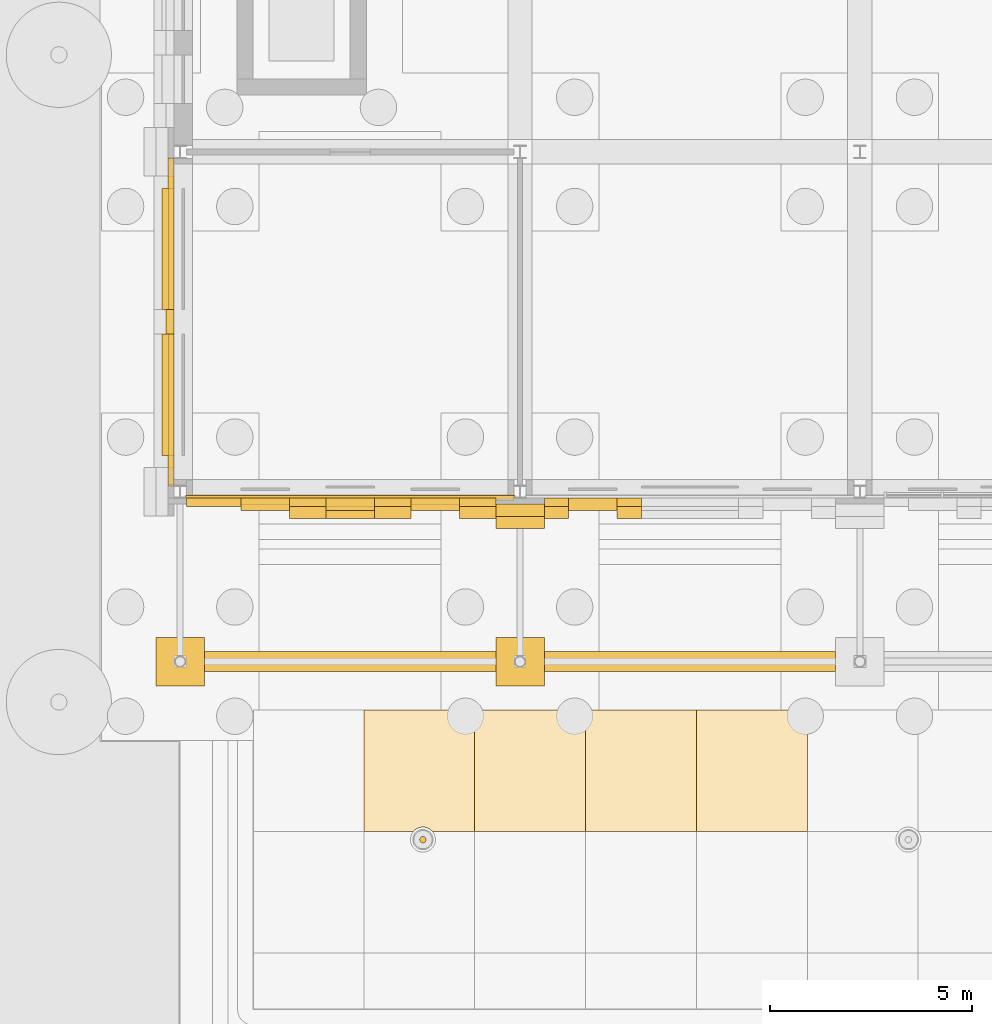
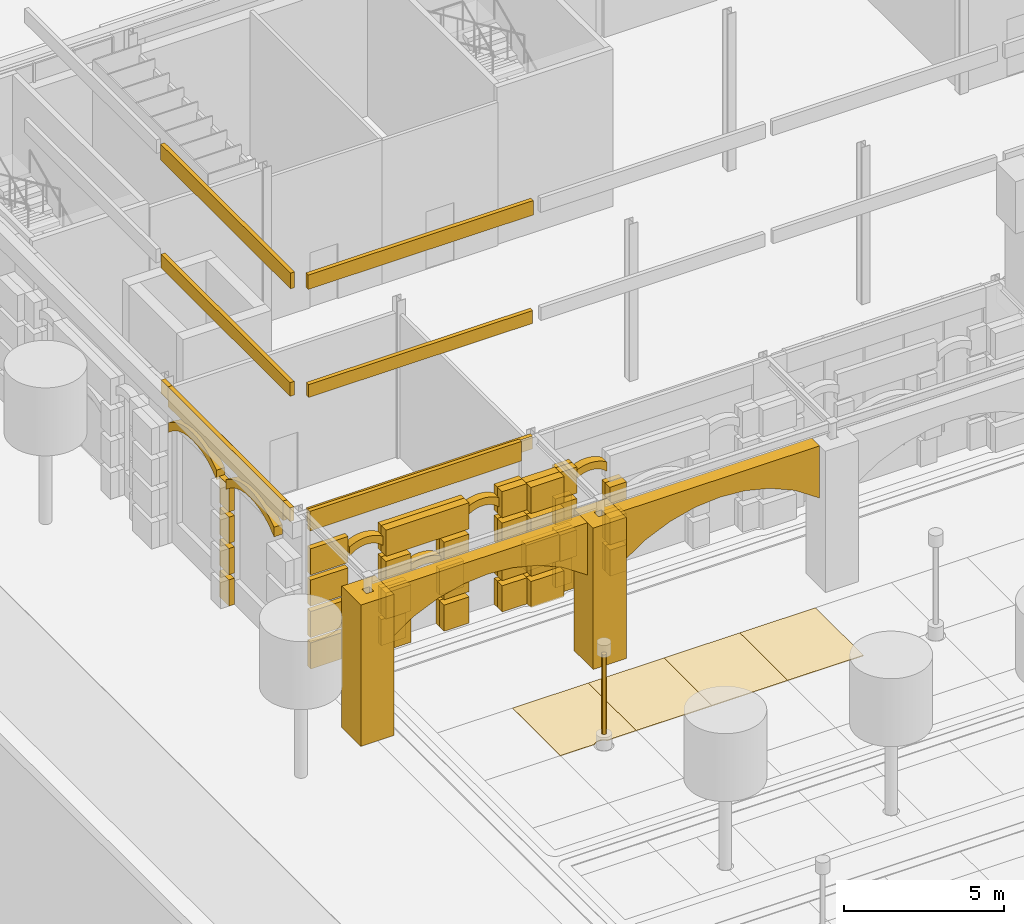
# One storey, part 115 of 222: 75 coverings.
"""IFC4 building model written with IfcOpenShell, lengths in metres."""

from ifc_helpers import new_model, si_unit, direction, frame, origin, origin_2d, place, context, subcontext, project, spatial, polyline, rectangle, hollow_rectangle, circle, outline, extrude, material, layer, layer_set, material_profile, profile_set, type_object, element, save


model = new_model("IFC4")

# Units and contexts
model_context = context("Model", 3, precision=1e-05, world=origin(), true_north=direction((0.0, 1.0)))
body_context = subcontext(model_context, "Body", "Model", "MODEL_VIEW")
ifc_project = project(units=[si_unit("LENGTHUNIT", "METRE"), si_unit("AREAUNIT", "SQUARE_METRE"), si_unit("VOLUMEUNIT", "CUBIC_METRE"), si_unit("PLANEANGLEUNIT", "RADIAN"), si_unit("MASSUNIT", "GRAM", prefix="KILO")], contexts=[model_context])

# Site, building, storey
site_placement = place(None, origin())
site = spatial("IfcSite", under=ifc_project, at=site_placement, CompositionType="ELEMENT")
building_placement = place(site_placement, origin())
building = spatial("IfcBuilding", under=site, at=building_placement, Name="Sava Quay Ferry Terminal", CompositionType="ELEMENT")
storey_placement = place(building_placement, origin())
storey = spatial("IfcBuildingStorey", under=building, at=storey_placement, Name="L00", CompositionType="ELEMENT", Elevation=0.0)

# Coverings
ifc_material_1 = material(Name="Limestone Mutalj ashlar", Category="masonry")
ifc_material_profile = material_profile(ifc_material_1, hollow_rectangle(XDim=1.199951171875, YDim=1.199951171875, WallThickness=0.462890625, at=origin_2d()), Name="Arcade pier 1200")
ifc_profile_set = profile_set([ifc_material_profile], Name="Limestone Mutalj ashlar")
covering_type_1 = type_object("IfcCoveringType", Name="Arcade pier 1200", PredefinedType="CLADDING", material=ifc_profile_set)
for number, where, z_axis, x_axis, name in (
    (1, (0.0, 21.0, 0.0), (0.0, 0.0, 1.0), (1.0, 0.0, 0.0), "Arcade pier"),
    (2, (8.39990234375, 21.0, 0.0), (0.0, 0.0, 1.0), (1.0, 0.0, 0.0), "Arcade pier"),
):
    element("IfcCovering", number, at=place(storey_placement, frame(where, z_axis=z_axis, x_axis=x_axis)), inside=storey, type_object=covering_type_1, Name=name, PredefinedType="CLADDING", context=body_context, shape_type="SweptSolid", body=[
        extrude(hollow_rectangle(XDim=1.199951171875, YDim=1.199951171875, WallThickness=0.462890625, at=origin_2d()), origin(), (0.0, 0.0, 1.0), 5.39990234375),
    ])
ifc_material_2 = material(Name="Limestone Mutalj", Category="masonry")
ifc_layer_1 = layer(ifc_material_2, 0.300048828125)
ifc_layer_set_1 = layer_set([ifc_layer_1], Name="Limestone Mutalj")
covering_type_2 = type_object("IfcCoveringType", Name="Arch band 280", PredefinedType="MOLDING", material=ifc_layer_set_1)
covering_1_placement = place(storey_placement, frame((3.60009765625, 24.739990234375, 2.39990234375), z_axis=(0.0, -1.0, 0.0), x_axis=(0.766042844353, 0.0, 0.642789515017)))
element("IfcCovering", 3, at=covering_1_placement, inside=storey, type_object=covering_type_2, Name="Arch band", PredefinedType="MOLDING", context=body_context, shape_type="SweptSolid", body=[
    extrude(outline(polyline([(0.0, 0.0), (0.1564834757725232, 0.0), (0.29290987034562144, -0.02428279209876255), (0.4140838634817109, -0.06636278232810475), (0.522890396081421, -0.12356147789515273), (0.6202108720586751, -0.19406883930165053), (0.706733197838947, -0.2778246842578833), (0.781769466996763, -0.374889195053566), (0.8444382756181996, -0.4870724111869544), (0.8918546828026273, -0.6170528254509224), (0.9192140087876302, -0.771316031813653), (1.14849024937354, -0.4980766285911245), (1.098846716569099, -0.3703705716175788), (1.0380911714997962, -0.2562870425513622), (0.9674188801474346, -0.15364195753662468), (0.8881454730732465, -0.0616270455684631), (0.8002107679875174, 0.020445599778596002), (0.7043026713157206, 0.09263616079426751), (0.5997332766323826, 0.15488445518883656), (0.48656276622721817, 0.20650257653682963), (0.3634755095389949, 0.24668225383334366), (0.2292762405859099, 0.27323940322252854), (0.0, 0.0)])), origin(), (0.0, 0.0, -1.0), 0.300048828125),
])
for number, where, z_axis, x_axis, name in (
    (4, (1.5, 24.739990234375, 3.89990234375), (0.0, -1.0, 0.0), (0.766686318179, 0.0, 0.642021876199), "Arch band"),
    (5, (5.699951171875, 24.739990234375, 3.89990234375), (0.0, -1.0, 0.0), (0.766686318179, 0.0, 0.642021876199), "Arch band"),
):
    element("IfcCovering", number, at=place(storey_placement, frame(where, z_axis=z_axis, x_axis=x_axis)), inside=storey, type_object=covering_type_2, Name=name, PredefinedType="MOLDING", context=body_context, shape_type="SweptSolid", body=[
        extrude(outline(polyline([(0.0, 0.0), (0.15667057654730215, -1.3877787807814457e-17), (0.29293404656438327, -0.02398938309786766), (0.414337308134961, -0.06610472040016957), (0.5230139006591377, -0.1230376562322823), (0.6205921316676617, -0.19360424362325043), (0.7070111298509724, -0.2771166367750381), (0.7823317665186302, -0.3742626814856812), (0.844925734139887, -0.48622632472613514), (0.8926594933146406, -0.6163159221710233), (0.919986145959173, -0.7703949027137791), (1.1489885778747033, -0.49692597916416525), (1.0994043308893047, -0.3694264559410845), (1.0383473638344554, -0.2552470970326215), (0.9677594714851411, -0.1528295969140227), (0.8882067570202763, -0.06073739267965583), (0.8003770662378966, 0.021090386980039788), (0.7042095278284416, 0.09334158786309998), (0.5997650131014718, 0.15532836417148896), (0.4863556762589516, 0.20698984459564596), (0.3634154141219664, 0.2468894662299388), (0.22900243191553027, 0.27346892354961383), (0.0, 0.0)])), origin(), (0.0, 0.0, -1.0), 0.300048828125),
    ])
covering_2_placement = place(storey_placement, frame((9.60009765625, 24.739990234375, 3.89990234375), z_axis=(0.0, -1.0, 0.0), x_axis=(0.766042844353, 0.0, 0.642789515017)))
element("IfcCovering", 6, at=covering_2_placement, inside=storey, type_object=covering_type_2, Name="Arch band", PredefinedType="MOLDING", context=body_context, shape_type="SweptSolid", body=[
    extrude(outline(polyline([(0.0, 0.0), (0.1564834757725232, 0.0), (0.29290987034562144, -0.02428279209876255), (0.4140838634817109, -0.06636278232810475), (0.522890396081421, -0.12356147789515273), (0.6202108720586751, -0.19406883930165053), (0.706733197838947, -0.2778246842578833), (0.781769466996763, -0.374889195053566), (0.8444382756181996, -0.4870724111869544), (0.8918546828026273, -0.6170528254509224), (0.9192140087876302, -0.771316031813653), (1.14849024937354, -0.4980766285911245), (1.098846716569099, -0.3703705716175788), (1.0380911714997962, -0.2562870425513622), (0.9674188801474346, -0.15364195753662468), (0.8881454730732465, -0.0616270455684631), (0.8002107679875174, 0.020445599778596002), (0.7043026713157206, 0.09263616079426751), (0.5997332766323826, 0.15488445518883656), (0.48656276622721817, 0.20650257653682963), (0.3634755095389949, 0.24668225383334366), (0.2292762405859099, 0.27323940322252854), (0.0, 0.0)])), origin(), (0.0, 0.0, -1.0), 0.300048828125),
])
covering_3_placement = place(storey_placement, frame((-0.14990234375, 26.10009765625, 4.5), z_axis=(1.0, 0.0, 0.0), x_axis=(0.0, 0.781923759715, 0.623374072281)))
element("IfcCovering", 7, at=covering_3_placement, inside=storey, type_object=covering_type_2, Name="Arch band", PredefinedType="MOLDING", context=body_context, shape_type="SweptSolid", body=[
    extrude(outline(polyline([(0.0, 0.0), (0.3834193343979185, -2.7755575615628914e-17), (0.7215244784021893, -0.05723109819999722), (1.025082280021732, -0.15779635007562864), (1.2992672310674753, -0.2952051775433192), (1.5469709593161145, -0.4658304928504826), (1.7683069472834811, -0.6691383063507048), (1.963352611809143, -0.9058147986260157), (2.129025425761005, -1.1793348664933856), (2.2601508973281392, -1.4961890880363895), (2.3457712791462266, -1.8701222168437752), (2.575427400990079, -1.5820550895462773), (2.464391132924196, -1.2400021530905694), (2.3185031406023544, -0.9416651690212947), (2.144155443320406, -0.6790263644116832), (1.9443918597906626, -0.4482677521537497), (1.7213817715315254, -0.24705983156291944), (1.475352143574657, -0.07433462334636409), (1.2058851115329956, 0.06899208413870384), (0.9110021932435386, 0.1804385992720936), (0.5876595699939753, 0.25618693494582), (0.22965612184385228, 0.288067127297498), (0.0, 0.0)])), origin(), (0.0, 0.0, -1.0), 0.300048828125),
])
covering_4_placement = place(storey_placement, frame((-0.14990234375, 29.699951171875, 4.5), z_axis=(1.0, 0.0, 0.0), x_axis=(0.0, 0.782171011383, 0.623063808091)))
element("IfcCovering", 8, at=covering_4_placement, inside=storey, type_object=covering_type_2, Name="Arch band", PredefinedType="MOLDING", context=body_context, shape_type="SweptSolid", body=[
    extrude(outline(polyline([(0.0, 0.0), (0.38361026394291897, 0.0), (0.7217380868167081, -0.05709695615317717), (1.025335762122964, -0.1575417686500708), (1.2993842465178647, -0.29468969183758004), (1.5471556480034832, -0.4652167214188082), (1.768763237235288, -0.6685888227670815), (1.9639027838382344, -0.9051879153215514), (2.1296840992494017, -1.178642233754159), (2.2607443073734594, -1.4952922933429613), (2.3465130341479634, -1.8691914242724625), (2.5760548521189226, -1.5810332074325149), (2.4648828890282157, -1.2390243496721793), (2.3190675077145073, -0.9408973828822342), (2.144615626614576, -0.6783277684654494), (1.9447605091984421, -0.4476484272178306), (1.7214796529038934, -0.24637688278489167), (1.475381518481019, -0.07374929628832916), (1.2060486048993058, 0.06931837820603115), (0.9111214952818136, 0.18064789471874781), (0.5877488455976752, 0.2562679436707819), (0.22954181797095916, 0.2881582168399477), (0.0, 0.0)])), origin(), (0.0, 0.0, -1.0), 0.300048828125),
])
ifc_material_3 = material(Name="Limestone Mutalj", Category="masonry")
ifc_layer_2 = layer(ifc_material_3, 0.5)
ifc_layer_set_2 = layer_set([ifc_layer_2], Name="Limestone Mutalj")
covering_type_3 = type_object("IfcCoveringType", Name="Arch spandrel 500", PredefinedType="CLADDING", material=ifc_layer_set_2)
covering_5_placement = place(storey_placement, frame((0.60009765625, 20.75, 3.39990234375), z_axis=(0.0, -1.0, 0.0), x_axis=(0.827289511466, 0.0, 0.561775813131)))
element("IfcCovering", 9, at=covering_5_placement, inside=storey, type_object=covering_type_3, Name="Arch spandrel", PredefinedType="CLADDING", context=body_context, shape_type="SweptSolid", body=[
    extrude(outline(polyline([(0.0, 0.0), (1.0877719725412898, 0.0), (2.0534783997490385, -0.17975773076285784), (2.92338019324587, -0.5010350986935066), (3.7084570438196027, -0.946793875989717), (4.412541708880196, -1.5122589927881132), (5.031801431017692, -2.202205518952071), (5.555054544465885, -3.033534529985692), (5.956444087558922, -4.044758424080299), (7.079995713820012, -2.3901794011484654), (1.12355162626109, 1.6545790229318331), (0.0, 0.0)])), origin(), (0.0, 0.0, -1.0), 0.5),
])
covering_6_placement = place(storey_placement, frame((9.0, 20.75, 3.39990234375), z_axis=(0.0, -1.0, 0.0), x_axis=(0.827289511466, 0.0, 0.561775813131)))
element("IfcCovering", 10, at=covering_6_placement, inside=storey, type_object=covering_type_3, Name="Arch spandrel", PredefinedType="CLADDING", context=body_context, shape_type="SweptSolid", body=[
    extrude(outline(polyline([(0.0, 0.0), (1.0877719725412898, 0.0), (2.0536803747274233, -0.17989488306098533), (2.92338019324587, -0.5010350986935066), (3.7086590187979875, -0.9469310282878445), (4.412541708880196, -1.5122589927881132), (5.031801431017692, -2.202205518952071), (5.555256519444271, -3.0336716822838197), (5.956444087558922, -4.044758424080299), (7.079995713820012, -2.3901794011484654), (1.12355162626109, 1.6545790229318331), (0.0, 0.0)])), origin(), (0.0, 0.0, -1.0), 0.5),
])
ifc_material_4 = material(Name="Limestone Mutalj", Category="masonry")
ifc_layer_3 = layer(ifc_material_4, 0.030029296875)
ifc_layer_set_3 = layer_set([ifc_layer_3], Name="Limestone Mutalj")
covering_type_4 = type_object("IfcCoveringType", Name="Court paving tile 30", PredefinedType="FLOORING", material=ifc_layer_set_3)
covering_7_placement = place(storey_placement, origin())
element("IfcCovering", 11, at=covering_7_placement, inside=storey, type_object=covering_type_4, Name="Limestone paving tile", PredefinedType="FLOORING", context=body_context, shape_type="SweptSolid", body=[
    extrude(outline(polyline([(7.280029296875, 16.800048828125), (7.280029296875, 19.800048828125), (4.5400390625, 19.800048828125), (4.5400390625, 16.800048828125), (5.762939453125, 16.800048828125), (5.781005859375, 16.820068359375), (5.802978515625, 16.839111328125), (5.826904296875, 16.85693359375), (5.85302734375, 16.873046875), (5.881103515625, 16.885986328125), (5.909912109375, 16.89599609375), (5.93994140625, 16.904052734375), (5.969970703125, 16.908935546875), (6.0, 16.909912109375), (6.031005859375, 16.907958984375), (6.06103515625, 16.904052734375), (6.090087890625, 16.89599609375), (6.118896484375, 16.885986328125), (6.14697265625, 16.873046875), (6.173095703125, 16.85693359375), (6.197021484375, 16.839111328125), (6.218994140625, 16.820068359375), (6.237060546875, 16.800048828125), (7.280029296875, 16.800048828125)])), origin(), (0.0, 0.0, 1.0), 0.030029296875),
])
covering_8_placement = place(storey_placement, origin())
element("IfcCovering", 12, at=covering_8_placement, inside=storey, type_object=covering_type_4, Name="Limestone paving tile", PredefinedType="FLOORING", context=body_context, shape_type="SweptSolid", body=[
    extrude(outline(polyline([(12.760009765625, 16.800048828125), (12.760009765625, 19.800048828125), (10.02001953125, 19.800048828125), (10.02001953125, 16.800048828125), (12.760009765625, 16.800048828125)])), origin(), (0.0, 0.0, 1.0), 0.030029296875),
])
ifc_material_5 = material(Name="Red sandstone Vrsac", Category="masonry")
ifc_layer_4 = layer(ifc_material_5, 0.030029296875)
ifc_layer_set_4 = layer_set([ifc_layer_4], Name="Red sandstone Vrsac")
covering_type_5 = type_object("IfcCoveringType", Name="Court paving tile sandstone 30", PredefinedType="FLOORING", material=ifc_layer_set_4)
covering_9_placement = place(storey_placement, origin())
element("IfcCovering", 13, at=covering_9_placement, inside=storey, type_object=covering_type_5, Name="Sandstone paving tile", PredefinedType="FLOORING", context=body_context, shape_type="SweptSolid", body=[
    extrude(outline(polyline([(10.02001953125, 16.800048828125), (10.02001953125, 19.800048828125), (7.280029296875, 19.800048828125), (7.280029296875, 16.800048828125), (10.02001953125, 16.800048828125)])), origin(), (0.0, 0.0, 1.0), 0.030029296875),
])
covering_10_placement = place(storey_placement, origin())
element("IfcCovering", 14, at=covering_10_placement, inside=storey, type_object=covering_type_5, Name="Sandstone paving tile", PredefinedType="FLOORING", context=body_context, shape_type="SweptSolid", body=[
    extrude(outline(polyline([(15.5, 16.800048828125), (15.5, 19.800048828125), (12.760009765625, 19.800048828125), (12.760009765625, 16.800048828125), (15.5, 16.800048828125)])), origin(), (0.0, 0.0, 1.0), 0.030029296875),
])
ifc_material_6 = material(Name="Steel S355", Category="steel")
ifc_layer_5 = layer(ifc_material_6, 0.159912109375)
ifc_layer_set_5 = layer_set([ifc_layer_5], Name="Steel S355")
covering_type_6 = type_object("IfcCoveringType", Name="Lamp standard column 160", PredefinedType="CLADDING", material=ifc_layer_set_5)
covering_11_placement = place(storey_placement, frame((6.0, 16.60009765625, 3.550048828125), z_axis=(0.0, 0.0, -1.0), x_axis=(1.0, 0.0, 0.0)))
element("IfcCovering", 15, at=covering_11_placement, inside=storey, type_object=covering_type_6, Name="Lamp standard column", PredefinedType="CLADDING", context=body_context, shape_type="SweptSolid", body=[
    extrude(circle(Radius=0.080078125, at=origin_2d()), origin(), (0.0, 0.0, 1.0), 3.050048828125),
])
ifc_material_7 = material(Name="Limestone Mutalj", Category="masonry")
ifc_layer_6 = layer(ifc_material_7, 0.14990234375)
ifc_layer_set_6 = layer_set([ifc_layer_6], Name="Limestone Mutalj")
covering_type_7 = type_object("IfcCoveringType", Name="Limestone string course 150", PredefinedType="CLADDING", material=ifc_layer_set_6)
covering_12_placement = place(storey_placement, frame((0.0, 0.0, 5.25)))
element("IfcCovering", 16, at=covering_12_placement, inside=storey, type_object=covering_type_7, Name="String course W-S", PredefinedType="CLADDING", context=body_context, shape_type="SweptSolid", body=[
    extrude(outline(polyline([(0.14990234375, 25.0400390625), (7.800048828125, 25.0400390625), (7.800048828125, 24.889892578125), (0.14990234375, 24.889892578125), (0.14990234375, 25.0400390625)])), origin(), (0.0, 0.0, 1.0), 0.75),
])
covering_13_placement = place(storey_placement, frame((0.0, 0.0, 5.25)))
element("IfcCovering", 17, at=covering_13_placement, inside=storey, type_object=covering_type_7, Name="String course W-W", PredefinedType="CLADDING", context=body_context, shape_type="SweptSolid", body=[
    extrude(outline(polyline([(-0.14990234375, 25.800048828125), (-0.14990234375, 33.0), (-0.300048828125, 33.0), (-0.300048828125, 25.800048828125), (-0.14990234375, 25.800048828125)])), origin(), (0.0, 0.0, 1.0), 0.75),
])
ifc_material_8 = material(Name="Limestone Mutalj", Category="masonry")
ifc_layer_7 = layer(ifc_material_8, 0.300048828125)
ifc_layer_set_7 = layer_set([ifc_layer_7], Name="Limestone Mutalj")
covering_type_8 = type_object("IfcCoveringType", Name="Rusticated course deepening 300", PredefinedType="CLADDING", material=ifc_layer_set_7)
for number, where, z_axis, x_axis, name in (
    (18, (8.39990234375, 24.43994140625, 0.0), (0.0, 0.0, 1.0), (1.0, 0.0, 0.0), "Rusticated course deepening"),
    (19, (8.39990234375, 24.43994140625, 1.199951171875), (0.0, 0.0, 1.0), (1.0, 0.0, 0.0), "Rusticated course deepening"),
    (20, (8.39990234375, 24.43994140625, 2.39990234375), (0.0, 0.0, 1.0), (1.0, 0.0, 0.0), "Rusticated course deepening"),
    (21, (8.39990234375, 24.43994140625, 3.60009765625), (0.0, 0.0, 1.0), (1.0, 0.0, 0.0), "Rusticated course deepening"),
):
    element("IfcCovering", number, at=place(storey_placement, frame(where, z_axis=z_axis, x_axis=x_axis)), inside=storey, type_object=covering_type_8, Name=name, PredefinedType="CLADDING", context=body_context, shape_type="SweptSolid", body=[
        extrude(rectangle(XDim=1.199951171875, YDim=0.300048828125, at=origin_2d()), origin(), (0.0, 0.0, 1.0), 1.0),
    ])
for number, where, z_axis, x_axis, name in (
    (22, (3.14990234375, 24.68994140625, 0.0), (0.0, 0.0, 1.0), (1.0, 0.0, 0.0), "Rusticated course deepening"),
    (23, (5.25, 24.68994140625, 0.0), (0.0, 0.0, 1.0), (1.0, 0.0, 0.0), "Rusticated course deepening"),
    (24, (7.35009765625, 24.68994140625, 0.0), (0.0, 0.0, 1.0), (1.0, 0.0, 0.0), "Rusticated course deepening"),
    (25, (3.14990234375, 24.68994140625, 1.199951171875), (0.0, 0.0, 1.0), (1.0, 0.0, 0.0), "Rusticated course deepening"),
    (26, (5.25, 24.68994140625, 1.199951171875), (0.0, 0.0, 1.0), (1.0, 0.0, 0.0), "Rusticated course deepening"),
    (27, (7.35009765625, 24.68994140625, 1.199951171875), (0.0, 0.0, 1.0), (1.0, 0.0, 0.0), "Rusticated course deepening"),
    (28, (3.14990234375, 24.68994140625, 2.39990234375), (0.0, 0.0, 1.0), (1.0, 0.0, 0.0), "Rusticated course deepening"),
    (29, (5.25, 24.68994140625, 2.39990234375), (0.0, 0.0, 1.0), (1.0, 0.0, 0.0), "Rusticated course deepening"),
    (30, (7.35009765625, 24.68994140625, 2.39990234375), (0.0, 0.0, 1.0), (1.0, 0.0, 0.0), "Rusticated course deepening"),
):
    element("IfcCovering", number, at=place(storey_placement, frame(where, z_axis=z_axis, x_axis=x_axis)), inside=storey, type_object=covering_type_8, Name=name, PredefinedType="CLADDING", context=body_context, shape_type="SweptSolid", body=[
        extrude(rectangle(XDim=0.89990234375, YDim=0.300048828125, at=origin_2d()), origin(), (0.0, 0.0, 1.0), 1.0),
    ])
covering_14_placement = place(storey_placement, frame((4.199951171875, 24.68994140625, 3.60009765625), z_axis=(0.0, 0.0, 1.0), x_axis=(1.0, 0.0, 0.0)))
element("IfcCovering", 31, at=covering_14_placement, inside=storey, type_object=covering_type_8, Name="Rusticated course deepening", PredefinedType="CLADDING", context=body_context, shape_type="SweptSolid", body=[
    extrude(rectangle(XDim=3.0, YDim=0.300048828125, at=origin_2d()), origin(), (0.0, 0.0, 1.0), 1.0),
])
covering_15_placement = place(storey_placement, frame((7.35009765625, 24.68994140625, 3.60009765625), z_axis=(0.0, 0.0, 1.0), x_axis=(1.0, 0.0, 0.0)))
element("IfcCovering", 32, at=covering_15_placement, inside=storey, type_object=covering_type_8, Name="Rusticated course deepening", PredefinedType="CLADDING", context=body_context, shape_type="SweptSolid", body=[
    extrude(rectangle(XDim=0.89990234375, YDim=0.300048828125, at=origin_2d()), origin(), (0.0, 0.0, 1.0), 1.0),
])
for number, where, z_axis, x_axis, name in (
    (33, (9.300048828125, 24.68994140625, 0.0), (0.0, 0.0, 1.0), (1.0, 0.0, 0.0), "Rusticated course deepening"),
    (34, (11.10009765625, 24.68994140625, 0.0), (0.0, 0.0, 1.0), (1.0, 0.0, 0.0), "Rusticated course deepening"),
    (35, (9.300048828125, 24.68994140625, 1.199951171875), (0.0, 0.0, 1.0), (1.0, 0.0, 0.0), "Rusticated course deepening"),
    (36, (11.10009765625, 24.68994140625, 1.199951171875), (0.0, 0.0, 1.0), (1.0, 0.0, 0.0), "Rusticated course deepening"),
    (37, (9.300048828125, 24.68994140625, 2.39990234375), (0.0, 0.0, 1.0), (1.0, 0.0, 0.0), "Rusticated course deepening"),
    (38, (11.10009765625, 24.68994140625, 2.39990234375), (0.0, 0.0, 1.0), (1.0, 0.0, 0.0), "Rusticated course deepening"),
    (39, (9.300048828125, 24.68994140625, 3.60009765625), (0.0, 0.0, 1.0), (1.0, 0.0, 0.0), "Rusticated course deepening"),
):
    element("IfcCovering", number, at=place(storey_placement, frame(where, z_axis=z_axis, x_axis=x_axis)), inside=storey, type_object=covering_type_8, Name=name, PredefinedType="CLADDING", context=body_context, shape_type="SweptSolid", body=[
        extrude(rectangle(XDim=0.60009765625, YDim=0.300048828125, at=origin_2d()), origin(), (0.0, 0.0, 1.0), 1.0),
    ])
ifc_material_9 = material(Name="Limestone Mutalj", Category="masonry")
ifc_layer_8 = layer(ifc_material_9, 0.300048828125)
ifc_layer_set_8 = layer_set([ifc_layer_8], Name="Limestone Mutalj")
covering_type_9 = type_object("IfcCoveringType", Name="Rusticated pier course 300", PredefinedType="CLADDING", material=ifc_layer_set_8)
for number, where, z_axis, x_axis, name in (
    (40, (8.39990234375, 24.739990234375, 0.0), (0.0, 0.0, 1.0), (1.0, 0.0, 0.0), "Rusticated pier course"),
    (41, (8.39990234375, 24.739990234375, 1.199951171875), (0.0, 0.0, 1.0), (1.0, 0.0, 0.0), "Rusticated pier course"),
    (42, (8.39990234375, 24.739990234375, 2.39990234375), (0.0, 0.0, 1.0), (1.0, 0.0, 0.0), "Rusticated pier course"),
    (43, (8.39990234375, 24.739990234375, 3.60009765625), (0.0, 0.0, 1.0), (1.0, 0.0, 0.0), "Rusticated pier course"),
):
    element("IfcCovering", number, at=place(storey_placement, frame(where, z_axis=z_axis, x_axis=x_axis)), inside=storey, type_object=covering_type_9, Name=name, PredefinedType="CLADDING", context=body_context, shape_type="SweptSolid", body=[
        extrude(rectangle(XDim=1.199951171875, YDim=0.300048828125, at=origin_2d()), origin(), (0.0, 0.0, 1.0), 1.0),
    ])
ifc_material_10 = material(Name="Limestone Mutalj", Category="masonry")
ifc_layer_9 = layer(ifc_material_10, 0.199951171875)
ifc_layer_set_9 = layer_set([ifc_layer_9], Name="Limestone Mutalj")
covering_type_10 = type_object("IfcCoveringType", Name="Rusticated wall course 200", PredefinedType="CLADDING", material=ifc_layer_set_9)
covering_16_placement = place(storey_placement, frame((0.824951171875, 24.93994140625, 0.0), z_axis=(0.0, 0.0, 1.0), x_axis=(1.0, 0.0, 0.0)))
element("IfcCovering", 44, at=covering_16_placement, inside=storey, type_object=covering_type_10, Name="Rusticated wall course", PredefinedType="CLADDING", context=body_context, shape_type="SweptSolid", body=[
    extrude(rectangle(XDim=1.35009765625, YDim=0.199951171875, at=origin_2d()), origin(), (0.0, 0.0, 1.0), 1.0),
])
for number, where, z_axis, x_axis, name in (
    (45, (3.14990234375, 24.93994140625, 0.0), (0.0, 0.0, 1.0), (1.0, 0.0, 0.0), "Rusticated wall course"),
    (46, (5.25, 24.93994140625, 0.0), (0.0, 0.0, 1.0), (1.0, 0.0, 0.0), "Rusticated wall course"),
    (47, (7.35009765625, 24.93994140625, 0.0), (0.0, 0.0, 1.0), (1.0, 0.0, 0.0), "Rusticated wall course"),
):
    element("IfcCovering", number, at=place(storey_placement, frame(where, z_axis=z_axis, x_axis=x_axis)), inside=storey, type_object=covering_type_10, Name=name, PredefinedType="CLADDING", context=body_context, shape_type="SweptSolid", body=[
        extrude(rectangle(XDim=0.89990234375, YDim=0.199951171875, at=origin_2d()), origin(), (0.0, 0.0, 1.0), 1.0),
    ])
covering_17_placement = place(storey_placement, frame((0.824951171875, 24.93994140625, 1.199951171875), z_axis=(0.0, 0.0, 1.0), x_axis=(1.0, 0.0, 0.0)))
element("IfcCovering", 48, at=covering_17_placement, inside=storey, type_object=covering_type_10, Name="Rusticated wall course", PredefinedType="CLADDING", context=body_context, shape_type="SweptSolid", body=[
    extrude(rectangle(XDim=1.35009765625, YDim=0.199951171875, at=origin_2d()), origin(), (0.0, 0.0, 1.0), 1.0),
])
for number, where, z_axis, x_axis, name in (
    (49, (3.14990234375, 24.93994140625, 1.199951171875), (0.0, 0.0, 1.0), (1.0, 0.0, 0.0), "Rusticated wall course"),
    (50, (5.25, 24.93994140625, 1.199951171875), (0.0, 0.0, 1.0), (1.0, 0.0, 0.0), "Rusticated wall course"),
    (51, (7.35009765625, 24.93994140625, 1.199951171875), (0.0, 0.0, 1.0), (1.0, 0.0, 0.0), "Rusticated wall course"),
):
    element("IfcCovering", number, at=place(storey_placement, frame(where, z_axis=z_axis, x_axis=x_axis)), inside=storey, type_object=covering_type_10, Name=name, PredefinedType="CLADDING", context=body_context, shape_type="SweptSolid", body=[
        extrude(rectangle(XDim=0.89990234375, YDim=0.199951171875, at=origin_2d()), origin(), (0.0, 0.0, 1.0), 1.0),
    ])
covering_18_placement = place(storey_placement, frame((0.824951171875, 24.93994140625, 2.39990234375), z_axis=(0.0, 0.0, 1.0), x_axis=(1.0, 0.0, 0.0)))
element("IfcCovering", 52, at=covering_18_placement, inside=storey, type_object=covering_type_10, Name="Rusticated wall course", PredefinedType="CLADDING", context=body_context, shape_type="SweptSolid", body=[
    extrude(rectangle(XDim=1.35009765625, YDim=0.199951171875, at=origin_2d()), origin(), (0.0, 0.0, 1.0), 1.0),
])
for number, where, z_axis, x_axis, name in (
    (53, (3.14990234375, 24.93994140625, 2.39990234375), (0.0, 0.0, 1.0), (1.0, 0.0, 0.0), "Rusticated wall course"),
    (54, (5.25, 24.93994140625, 2.39990234375), (0.0, 0.0, 1.0), (1.0, 0.0, 0.0), "Rusticated wall course"),
    (55, (7.35009765625, 24.93994140625, 2.39990234375), (0.0, 0.0, 1.0), (1.0, 0.0, 0.0), "Rusticated wall course"),
):
    element("IfcCovering", number, at=place(storey_placement, frame(where, z_axis=z_axis, x_axis=x_axis)), inside=storey, type_object=covering_type_10, Name=name, PredefinedType="CLADDING", context=body_context, shape_type="SweptSolid", body=[
        extrude(rectangle(XDim=0.89990234375, YDim=0.199951171875, at=origin_2d()), origin(), (0.0, 0.0, 1.0), 1.0),
    ])
covering_19_placement = place(storey_placement, frame((0.824951171875, 24.93994140625, 3.60009765625), z_axis=(0.0, 0.0, 1.0), x_axis=(1.0, 0.0, 0.0)))
element("IfcCovering", 56, at=covering_19_placement, inside=storey, type_object=covering_type_10, Name="Rusticated wall course", PredefinedType="CLADDING", context=body_context, shape_type="SweptSolid", body=[
    extrude(rectangle(XDim=1.35009765625, YDim=0.199951171875, at=origin_2d()), origin(), (0.0, 0.0, 1.0), 1.0),
])
covering_20_placement = place(storey_placement, frame((4.199951171875, 24.93994140625, 3.60009765625), z_axis=(0.0, 0.0, 1.0), x_axis=(1.0, 0.0, 0.0)))
element("IfcCovering", 57, at=covering_20_placement, inside=storey, type_object=covering_type_10, Name="Rusticated wall course", PredefinedType="CLADDING", context=body_context, shape_type="SweptSolid", body=[
    extrude(rectangle(XDim=3.0, YDim=0.199951171875, at=origin_2d()), origin(), (0.0, 0.0, 1.0), 1.0),
])
covering_21_placement = place(storey_placement, frame((7.35009765625, 24.93994140625, 3.60009765625), z_axis=(0.0, 0.0, 1.0), x_axis=(1.0, 0.0, 0.0)))
element("IfcCovering", 58, at=covering_21_placement, inside=storey, type_object=covering_type_10, Name="Rusticated wall course", PredefinedType="CLADDING", context=body_context, shape_type="SweptSolid", body=[
    extrude(rectangle(XDim=0.89990234375, YDim=0.199951171875, at=origin_2d()), origin(), (0.0, 0.0, 1.0), 1.0),
])
for number, where, z_axis, x_axis, name in (
    (59, (9.300048828125, 24.93994140625, 0.0), (0.0, 0.0, 1.0), (1.0, 0.0, 0.0), "Rusticated wall course"),
    (60, (11.10009765625, 24.93994140625, 0.0), (0.0, 0.0, 1.0), (1.0, 0.0, 0.0), "Rusticated wall course"),
    (61, (9.300048828125, 24.93994140625, 1.199951171875), (0.0, 0.0, 1.0), (1.0, 0.0, 0.0), "Rusticated wall course"),
    (62, (11.10009765625, 24.93994140625, 1.199951171875), (0.0, 0.0, 1.0), (1.0, 0.0, 0.0), "Rusticated wall course"),
    (63, (9.300048828125, 24.93994140625, 2.39990234375), (0.0, 0.0, 1.0), (1.0, 0.0, 0.0), "Rusticated wall course"),
    (64, (11.10009765625, 24.93994140625, 2.39990234375), (0.0, 0.0, 1.0), (1.0, 0.0, 0.0), "Rusticated wall course"),
    (65, (9.300048828125, 24.93994140625, 3.60009765625), (0.0, 0.0, 1.0), (1.0, 0.0, 0.0), "Rusticated wall course"),
):
    element("IfcCovering", number, at=place(storey_placement, frame(where, z_axis=z_axis, x_axis=x_axis)), inside=storey, type_object=covering_type_10, Name=name, PredefinedType="CLADDING", context=body_context, shape_type="SweptSolid", body=[
        extrude(rectangle(XDim=0.60009765625, YDim=0.199951171875, at=origin_2d()), origin(), (0.0, 0.0, 1.0), 1.0),
    ])
for number, where, z_axis, x_axis, name in (
    (66, (-0.25, 29.39990234375, 0.0), (0.0, 0.0, 1.0), (1.0, 0.0, 0.0), "Rusticated wall course"),
    (67, (-0.25, 29.39990234375, 1.199951171875), (0.0, 0.0, 1.0), (1.0, 0.0, 0.0), "Rusticated wall course"),
    (68, (-0.25, 29.39990234375, 2.39990234375), (0.0, 0.0, 1.0), (1.0, 0.0, 0.0), "Rusticated wall course"),
    (69, (-0.25, 29.39990234375, 3.60009765625), (0.0, 0.0, 1.0), (1.0, 0.0, 0.0), "Rusticated wall course"),
):
    element("IfcCovering", number, at=place(storey_placement, frame(where, z_axis=z_axis, x_axis=x_axis)), inside=storey, type_object=covering_type_10, Name=name, PredefinedType="CLADDING", context=body_context, shape_type="SweptSolid", body=[
        extrude(rectangle(XDim=0.199951171875, YDim=0.60009765625, at=origin_2d()), origin(), (0.0, 0.0, 1.0), 1.0),
    ])
ifc_material_11 = material(Name="Limestone Mutalj", Category="masonry")
ifc_layer_10 = layer(ifc_material_11, 0.14990234375)
ifc_layer_set_10 = layer_set([ifc_layer_10], Name="Limestone Mutalj")
covering_type_11 = type_object("IfcCoveringType", Name="Slab edge fascia 150", PredefinedType="CLADDING", material=ifc_layer_set_10)
covering_22_placement = place(storey_placement, frame((0.0, 0.0, 5.47998046875)))
element("IfcCovering", 70, at=covering_22_placement, inside=storey, type_object=covering_type_11, Name="Slab edge fascia", PredefinedType="CLADDING", context=body_context, shape_type="SweptSolid", body=[
    extrude(outline(polyline([(-0.298095703125, 25.360107421875), (-0.14794921875, 25.360107421875), (-0.14794921875, 33.43994140625), (-0.298095703125, 33.43994140625), (-0.298095703125, 25.360107421875)])), origin(), (0.0, 0.0, 1.0), 0.52001953125),
])
covering_23_placement = place(storey_placement, frame((0.0, 0.0, 5.510009765625)))
element("IfcCovering", 71, at=covering_23_placement, inside=storey, type_object=covering_type_11, Name="Slab edge fascia", PredefinedType="CLADDING", context=body_context, shape_type="SweptSolid", body=[
    extrude(outline(polyline([(8.25, 25.116943359375), (0.14990234375, 25.116943359375), (0.14990234375, 24.967041015625), (8.25, 24.967041015625), (8.25, 25.116943359375)])), origin(), (0.0, 0.0, 1.0), 0.489990234375),
])
covering_24_placement = place(storey_placement, frame((0.0, 0.0, 10.280029296875)))
element("IfcCovering", 72, at=covering_24_placement, inside=storey, type_object=covering_type_11, Name="Slab edge fascia", PredefinedType="CLADDING", context=body_context, shape_type="SweptSolid", body=[
    extrude(outline(polyline([(-0.298095703125, 25.35009765625), (-0.14794921875, 25.35009765625), (-0.14794921875, 33.449951171875), (-0.298095703125, 33.449951171875), (-0.298095703125, 25.35009765625)])), origin(), (0.0, 0.0, 1.0), 0.52001953125),
])
covering_25_placement = place(storey_placement, frame((0.0, 0.0, 10.31005859375)))
element("IfcCovering", 73, at=covering_25_placement, inside=storey, type_object=covering_type_11, Name="Slab edge fascia", PredefinedType="CLADDING", context=body_context, shape_type="SweptSolid", body=[
    extrude(outline(polyline([(8.25, 25.116943359375), (0.14990234375, 25.116943359375), (0.14990234375, 24.967041015625), (8.25, 24.967041015625), (8.25, 25.116943359375)])), origin(), (0.0, 0.0, 1.0), 0.489990234375),
])
covering_26_placement = place(storey_placement, frame((0.0, 0.0, 14.39990234375)))
element("IfcCovering", 74, at=covering_26_placement, inside=storey, type_object=covering_type_11, Name="Slab edge fascia", PredefinedType="CLADDING", context=body_context, shape_type="SweptSolid", body=[
    extrude(outline(polyline([(-0.298095703125, 25.330078125), (-0.14794921875, 25.330078125), (-0.14794921875, 33.469970703125), (-0.298095703125, 33.469970703125), (-0.298095703125, 25.330078125)])), origin(), (0.0, 0.0, 1.0), 0.60009765625),
])
covering_27_placement = place(storey_placement, frame((0.0, 0.0, 14.449951171875)))
element("IfcCovering", 75, at=covering_27_placement, inside=storey, type_object=covering_type_11, Name="Slab edge fascia", PredefinedType="CLADDING", context=body_context, shape_type="SweptSolid", body=[
    extrude(outline(polyline([(8.27001953125, 25.112060546875), (0.1298828125, 25.112060546875), (0.1298828125, 24.9619140625), (8.27001953125, 24.9619140625), (8.27001953125, 25.112060546875)])), origin(), (0.0, 0.0, 1.0), 0.550048828125),
])

save(model, "model.ifc")
